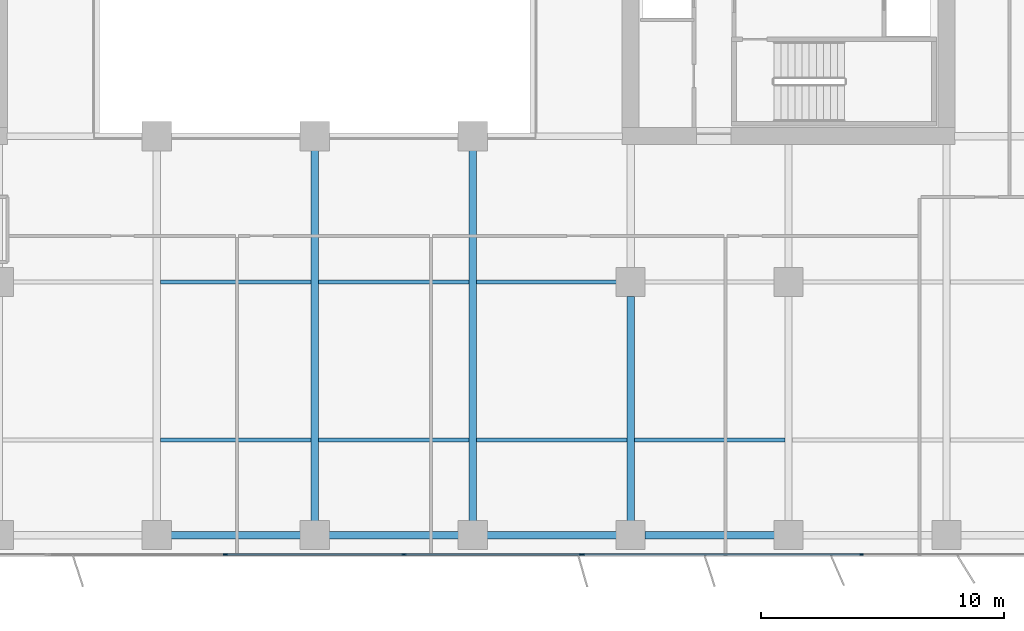
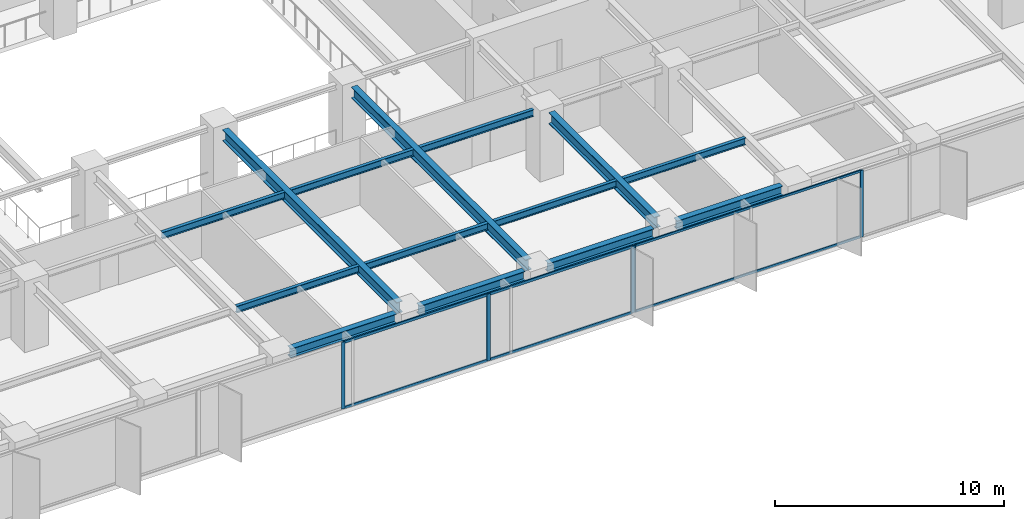
# One storey, part 5 of 20: 14 beams, 11 members, 2 elements without a shape of their own.
"""IFC4 building model written with IfcOpenShell, lengths in metres."""

from ifc_helpers import new_model, si_unit, direction, frame, origin, origin_2d, place, context, subcontext, project, spatial, rectangle, i_section, extrude, material, layer, layer_set, material_profile, profile_set, type_object, element, aggregate, save


model = new_model("IFC4")

# Units and contexts
model_context = context("Model", 3, precision=1e-05, world=origin(), true_north=direction((0.0, 1.0)))
body_context = subcontext(model_context, "Body", "Model", "MODEL_VIEW")
ifc_project = project(units=[si_unit("LENGTHUNIT", "METRE"), si_unit("AREAUNIT", "SQUARE_METRE"), si_unit("VOLUMEUNIT", "CUBIC_METRE"), si_unit("PLANEANGLEUNIT", "RADIAN"), si_unit("MASSUNIT", "GRAM", prefix="KILO")], contexts=[model_context])

# Site, building, storey
site_placement = place(None, origin())
site = spatial("IfcSite", under=ifc_project, at=site_placement, CompositionType="ELEMENT")
building_placement = place(site_placement, origin())
building = spatial("IfcBuilding", under=site, at=building_placement, Name="Putna Gate Headquarters", CompositionType="ELEMENT")
storey_placement = place(building_placement, frame((0.0, 0.0, 124.0)))
storey = spatial("IfcBuildingStorey", under=building, at=storey_placement, Name="L30", CompositionType="ELEMENT", Elevation=124.0)

# Beams
ifc_material_1 = material(Name="Steel S355J2", Category="steel")
ifc_material_profile_1 = material_profile(ifc_material_1, i_section(OverallWidth=0.300048828125, OverallDepth=0.60009765625, WebThickness=0.015380859375, FlangeThickness=0.030029296875, at=origin_2d()), Name="Steel S355J2")
ifc_profile_set_1 = profile_set([ifc_material_profile_1], Name="Steel S355J2")
beam_type_1 = type_object("IfcBeamType", Name="BM-GIRD-Z2-HEB600", PredefinedType="USERDEFINED", material=ifc_profile_set_1)
for number, where, z_axis, x_axis, name in (
    (1, (39.0, 3.16796875, 3.264892578125), (0.0, 1.0, 0.0), (-1.0, 0.0, 0.0), "L30 South Primary Girder X39"),
    (2, (45.5, 3.16796875, 3.264892578125), (0.0, 1.0, 0.0), (-1.0, 0.0, 0.0), "L30 South Primary Girder X45"),
):
    element("IfcBeam", number, at=place(storey_placement, frame(where, z_axis=z_axis, x_axis=x_axis)), inside=storey, type_object=beam_type_1, Name=name, ObjectType="GIRDER", PredefinedType="USERDEFINED", context=body_context, shape_type="SweptSolid", body=[
        extrude(i_section(OverallWidth=0.300048828125, OverallDepth=0.60009765625, WebThickness=0.015380859375, FlangeThickness=0.030029296875, at=origin_2d()), origin(), (0.0, 0.0, 1.0), 15.244140625),
    ])
beam_1_placement = place(storey_placement, frame((52.0, 3.16796875, 3.264892578125), z_axis=(0.0, 1.0, 0.0), x_axis=(-1.0, 0.0, 0.0)))
element("IfcBeam", 3, at=beam_1_placement, inside=storey, type_object=beam_type_1, Name="L30 South Primary Girder X52-1", ObjectType="GIRDER", PredefinedType="USERDEFINED", context=body_context, shape_type="SweptSolid", body=[
    extrude(i_section(OverallWidth=0.300048828125, OverallDepth=0.60009765625, WebThickness=0.015380859375, FlangeThickness=0.030029296875, at=origin_2d()), origin(), (0.0, 0.0, 1.0), 9.244140625),
])
ifc_material_profile_2 = material_profile(ifc_material_1, i_section(OverallWidth=0.169921875, OverallDepth=0.360107421875, WebThickness=0.008056640625, FlangeThickness=0.0126953125, at=origin_2d()), Name="Steel S355J2")
ifc_profile_set_2 = profile_set([ifc_material_profile_2], Name="Steel S355J2")
beam_type_2 = type_object("IfcBeamType", Name="BM-SEC-Z2-IPE360", PredefinedType="BEAM", material=ifc_profile_set_2)
for number, where, z_axis, x_axis, name in (
    (4, (32.654052734375, 6.5, 3.385009765625), (1.0, 0.0, 0.0), (0.0, 1.0, 0.0), "L30 South Secondary Beam 5"),
    (5, (32.654052734375, 13.0, 3.385009765625), (1.0, 0.0, 0.0), (0.0, 1.0, 0.0), "L30 South Secondary Beam 5"),
    (6, (39.154052734375, 6.5, 3.385009765625), (1.0, 0.0, 0.0), (0.0, 1.0, 0.0), "L30 South Secondary Beam 6"),
    (7, (39.154052734375, 13.0, 3.385009765625), (1.0, 0.0, 0.0), (0.0, 1.0, 0.0), "L30 South Secondary Beam 6"),
    (8, (45.654052734375, 6.5, 3.385009765625), (1.0, 0.0, 0.0), (0.0, 1.0, 0.0), "L30 South Secondary Beam 7"),
):
    element("IfcBeam", number, at=place(storey_placement, frame(where, z_axis=z_axis, x_axis=x_axis)), inside=storey, type_object=beam_type_2, Name=name, PredefinedType="BEAM", context=body_context, shape_type="SweptSolid", body=[
        extrude(i_section(OverallWidth=0.169921875, OverallDepth=0.360107421875, WebThickness=0.008056640625, FlangeThickness=0.0126953125, at=origin_2d()), origin(), (0.0, 0.0, 1.0), 6.19189453125),
    ])
beam_2_placement = place(storey_placement, frame((45.654052734375, 13.0, 3.385009765625), z_axis=(1.0, 0.0, 0.0), x_axis=(0.0, 1.0, 0.0)))
element("IfcBeam", 9, at=beam_2_placement, inside=storey, type_object=beam_type_2, Name="L30 South Secondary Beam 7", PredefinedType="BEAM", context=body_context, shape_type="SweptSolid", body=[
    extrude(i_section(OverallWidth=0.169921875, OverallDepth=0.360107421875, WebThickness=0.008056640625, FlangeThickness=0.0126953125, at=origin_2d()), origin(), (0.0, 0.0, 1.0), 5.758056640625),
])
beam_3_placement = place(storey_placement, frame((52.154052734375, 6.5, 3.385009765625), z_axis=(1.0, 0.0, 0.0), x_axis=(0.0, 1.0, 0.0)))
element("IfcBeam", 10, at=beam_3_placement, inside=storey, type_object=beam_type_2, Name="L30 South Secondary Beam 8", PredefinedType="BEAM", context=body_context, shape_type="SweptSolid", body=[
    extrude(i_section(OverallWidth=0.169921875, OverallDepth=0.360107421875, WebThickness=0.008056640625, FlangeThickness=0.0126953125, at=origin_2d()), origin(), (0.0, 0.0, 1.0), 6.19189453125),
])
ifc_material_profile_3 = material_profile(ifc_material_1, i_section(OverallWidth=0.300048828125, OverallDepth=0.489990234375, WebThickness=0.011962890625, FlangeThickness=0.02294921875, at=origin_2d()), Name="Steel S355J2")
ifc_profile_set_3 = profile_set([ifc_material_profile_3], Name="Steel S355J2")
beam_type_3 = type_object("IfcBeamType", Name="BM-SPAN-Z2-HEA500", PredefinedType="SPANDREL", material=ifc_profile_set_3)
for number, where, z_axis, x_axis, name in (
    (11, (33.087890625, 2.580078125, 3.320068359375), (1.0, 0.0, 0.0), (0.0, 1.0, 0.0), "L30 S Perimeter Spandrel 5"),
    (12, (39.587890625, 2.580078125, 3.320068359375), (1.0, 0.0, 0.0), (0.0, 1.0, 0.0), "L30 S Perimeter Spandrel 6"),
    (13, (46.087890625, 2.580078125, 3.320068359375), (1.0, 0.0, 0.0), (0.0, 1.0, 0.0), "L30 S Perimeter Spandrel 7"),
    (14, (52.587890625, 2.580078125, 3.320068359375), (1.0, 0.0, 0.0), (0.0, 1.0, 0.0), "L30 S Perimeter Spandrel 8"),
):
    element("IfcBeam", number, at=place(storey_placement, frame(where, z_axis=z_axis, x_axis=x_axis)), inside=storey, type_object=beam_type_3, Name=name, PredefinedType="SPANDREL", context=body_context, shape_type="SweptSolid", body=[
        extrude(i_section(OverallWidth=0.300048828125, OverallDepth=0.489990234375, WebThickness=0.011962890625, FlangeThickness=0.02294921875, at=origin_2d()), origin(), (0.0, 0.0, 1.0), 5.32421875),
    ])

# Curtain wall, members
ifc_material_2 = material(Name="Anodised bronze aluminium curtain wall", Category="aluminium")
ifc_layer_1 = layer(ifc_material_2, 0.159912109375)
ifc_layer_set_1 = layer_set([ifc_layer_1], Name="Anodised bronze aluminium curtain wall")
curtain_wall_type_1 = type_object("IfcCurtainWallType", Name="CW-SYS-Z2", PredefinedType="USERDEFINED", material=ifc_layer_set_1)
curtain_wall_1_placement = place(storey_placement, origin())
curtain_wall_1 = element("IfcCurtainWall", 15, at=curtain_wall_1_placement, inside=storey, type_object=curtain_wall_type_1, Name="L30 South East Curtain Wall", ObjectType="STICK CURTAIN WALL", PredefinedType="USERDEFINED")
ifc_material_3 = material(Name="Anodised bronze aluminium EN AW-6060", Category="aluminium")
ifc_material_profile_4 = material_profile(ifc_material_3, rectangle(XDim=0.06494140625, YDim=0.159912109375, at=origin_2d()), Name="Anodised bronze aluminium EN AW-6060")
ifc_profile_set_4 = profile_set([ifc_material_profile_4], Name="Anodised bronze aluminium EN AW-6060")
member_type_1 = type_object("IfcMemberType", Name="MULL-CWM-2", PredefinedType="MULLION", material=ifc_profile_set_4)
member_1_placement = place(storey_placement, frame((50.032470703125, 1.780029296875, 0.0), z_axis=(0.0, 0.0, 1.0), x_axis=(0.0, 1.0, 0.0)))
member_1 = element("IfcMember", 16, at=member_1_placement, type_object=member_type_1, Name="CWS-2 mullion 1", PredefinedType="MULLION", context=body_context, shape_type="SweptSolid", body=[
    extrude(rectangle(XDim=0.06494140625, YDim=0.159912109375, at=origin_2d()), origin(), (0.0, 0.0, 1.0), 3.56494140625),
])
member_2_placement = place(storey_placement, frame((61.5, 1.780029296875, 0.0), z_axis=(0.0, 0.0, 1.0), x_axis=(0.0, 1.0, 0.0)))
member_2 = element("IfcMember", 17, at=member_2_placement, type_object=member_type_1, Name="CWS-2 mullion 2", PredefinedType="MULLION", context=body_context, shape_type="SweptSolid", body=[
    extrude(rectangle(XDim=0.06494140625, YDim=0.159912109375, at=origin_2d()), origin(), (0.0, 0.0, 1.0), 3.56494140625),
])

ifc_layer_2 = layer(ifc_material_2, 0.179931640625)
ifc_layer_set_2 = layer_set([ifc_layer_2], Name="Anodised bronze aluminium curtain wall")
curtain_wall_type_2 = type_object("IfcCurtainWallType", Name="CW-SYS-ATR", PredefinedType="USERDEFINED", material=ifc_layer_set_2)
curtain_wall_2_placement = place(storey_placement, origin())
curtain_wall_2 = element("IfcCurtainWall", 18, at=curtain_wall_2_placement, inside=storey, type_object=curtain_wall_type_2, Name="L30 South Atrium Clear Glazing", ObjectType="ATRIUM GLAZING", PredefinedType="USERDEFINED")
ifc_material_profile_5 = material_profile(ifc_material_3, rectangle(XDim=0.070068359375, YDim=0.179931640625, at=origin_2d()), Name="Anodised bronze aluminium EN AW-6060")
ifc_profile_set_5 = profile_set([ifc_material_profile_5], Name="Anodised bronze aluminium EN AW-6060")
member_type_2 = type_object("IfcMemberType", Name="MULL-CWM-AT", PredefinedType="MULLION", material=ifc_profile_set_5)
member_3_placement = place(storey_placement, frame((35.333251953125, 1.780029296875, 0.0), z_axis=(0.0, 0.0, 1.0), x_axis=(0.0, 1.0, 0.0)))
member_3 = element("IfcMember", 19, at=member_3_placement, type_object=member_type_2, Name="CWS-AT mullion 2", PredefinedType="MULLION", context=body_context, shape_type="SweptSolid", body=[
    extrude(rectangle(XDim=0.070068359375, YDim=0.179931640625, at=origin_2d()), origin(), (0.0, 0.0, 1.0), 3.56494140625),
])
member_4_placement = place(storey_placement, frame((42.666748046875, 1.780029296875, 0.0), z_axis=(0.0, 0.0, 1.0), x_axis=(0.0, 1.0, 0.0)))
member_4 = element("IfcMember", 20, at=member_4_placement, type_object=member_type_2, Name="CWS-AT mullion 3", PredefinedType="MULLION", context=body_context, shape_type="SweptSolid", body=[
    extrude(rectangle(XDim=0.070068359375, YDim=0.179931640625, at=origin_2d()), origin(), (0.0, 0.0, 1.0), 3.56494140625),
])
member_5_placement = place(storey_placement, frame((49.965087890625, 1.780029296875, 0.0), z_axis=(0.0, 0.0, 1.0), x_axis=(0.0, 1.0, 0.0)))
member_5 = element("IfcMember", 21, at=member_5_placement, type_object=member_type_2, Name="CWS-AT mullion 4", PredefinedType="MULLION", context=body_context, shape_type="SweptSolid", body=[
    extrude(rectangle(XDim=0.070068359375, YDim=0.179931640625, at=origin_2d()), origin(), (0.0, 0.0, 1.0), 3.56494140625),
])

# Member
ifc_material_profile_6 = material_profile(ifc_material_3, rectangle(XDim=0.06494140625, YDim=0.1201171875, at=origin_2d()), Name="Anodised bronze aluminium EN AW-6060")
ifc_profile_set_6 = profile_set([ifc_material_profile_6], Name="Anodised bronze aluminium EN AW-6060")
member_type_3 = type_object("IfcMemberType", Name="TRAN-CWT-2", PredefinedType="USERDEFINED", material=ifc_profile_set_6)
member_6_placement = place(storey_placement, frame((50.06494140625, 1.780029296875, 0.032470703125), z_axis=(1.0, 0.0, 0.0), x_axis=(0.0, 1.0, 0.0)))
member_6 = element("IfcMember", 22, at=member_6_placement, type_object=member_type_3, Name="CWS-2 transom 1.1", ObjectType="TRANSOM", PredefinedType="USERDEFINED", context=body_context, shape_type="SweptSolid", body=[
    extrude(rectangle(XDim=0.06494140625, YDim=0.1201171875, at=origin_2d()), origin(), (0.0, 0.0, 1.0), 11.402587890625),
])

member_7_placement = place(storey_placement, frame((50.06494140625, 1.780029296875, 3.532470703125), z_axis=(1.0, 0.0, 0.0), x_axis=(0.0, 1.0, 0.0)))
member_7 = element("IfcMember", 23, at=member_7_placement, type_object=member_type_3, Name="CWS-2 transom 1.2", ObjectType="TRANSOM", PredefinedType="USERDEFINED", context=body_context, shape_type="SweptSolid", body=[
    extrude(rectangle(XDim=0.06494140625, YDim=0.1201171875, at=origin_2d()), origin(), (0.0, 0.0, 1.0), 11.402587890625),
])

aggregate(curtain_wall_1, [member_1, member_2, member_6, member_7])

ifc_material_profile_7 = material_profile(ifc_material_3, rectangle(XDim=0.070068359375, YDim=0.139892578125, at=origin_2d()), Name="Anodised bronze aluminium EN AW-6060")
ifc_profile_set_7 = profile_set([ifc_material_profile_7], Name="Anodised bronze aluminium EN AW-6060")
member_type_4 = type_object("IfcMemberType", Name="TRAN-CWT-AT", PredefinedType="USERDEFINED", material=ifc_profile_set_7)
member_8_placement = place(storey_placement, frame((35.368408203125, 1.780029296875, 0.034912109375), z_axis=(1.0, 0.0, 0.0), x_axis=(0.0, 1.0, 0.0)))
member_8 = element("IfcMember", 24, at=member_8_placement, type_object=member_type_4, Name="CWS-AT transom 2.1", ObjectType="TRANSOM", PredefinedType="USERDEFINED", context=body_context, shape_type="SweptSolid", body=[
    extrude(rectangle(XDim=0.070068359375, YDim=0.139892578125, at=origin_2d()), origin(), (0.0, 0.0, 1.0), 7.26318359375),
])

member_9_placement = place(storey_placement, frame((35.368408203125, 1.780029296875, 3.530029296875), z_axis=(1.0, 0.0, 0.0), x_axis=(0.0, 1.0, 0.0)))
member_9 = element("IfcMember", 25, at=member_9_placement, type_object=member_type_4, Name="CWS-AT transom 2.2", ObjectType="TRANSOM", PredefinedType="USERDEFINED", context=body_context, shape_type="SweptSolid", body=[
    extrude(rectangle(XDim=0.070068359375, YDim=0.139892578125, at=origin_2d()), origin(), (0.0, 0.0, 1.0), 7.26318359375),
])

member_10_placement = place(storey_placement, frame((42.70166015625, 1.780029296875, 0.034912109375), z_axis=(1.0, 0.0, 0.0), x_axis=(0.0, 1.0, 0.0)))
member_10 = element("IfcMember", 26, at=member_10_placement, type_object=member_type_4, Name="CWS-AT transom 3.1", ObjectType="TRANSOM", PredefinedType="USERDEFINED", context=body_context, shape_type="SweptSolid", body=[
    extrude(rectangle(XDim=0.070068359375, YDim=0.139892578125, at=origin_2d()), origin(), (0.0, 0.0, 1.0), 7.228271484375),
])

member_11_placement = place(storey_placement, frame((42.70166015625, 1.780029296875, 3.530029296875), z_axis=(1.0, 0.0, 0.0), x_axis=(0.0, 1.0, 0.0)))
member_11 = element("IfcMember", 27, at=member_11_placement, type_object=member_type_4, Name="CWS-AT transom 3.2", ObjectType="TRANSOM", PredefinedType="USERDEFINED", context=body_context, shape_type="SweptSolid", body=[
    extrude(rectangle(XDim=0.070068359375, YDim=0.139892578125, at=origin_2d()), origin(), (0.0, 0.0, 1.0), 7.228271484375),
])

aggregate(curtain_wall_2, [member_3, member_4, member_5, member_8, member_9, member_10, member_11])

save(model, "model.ifc")
